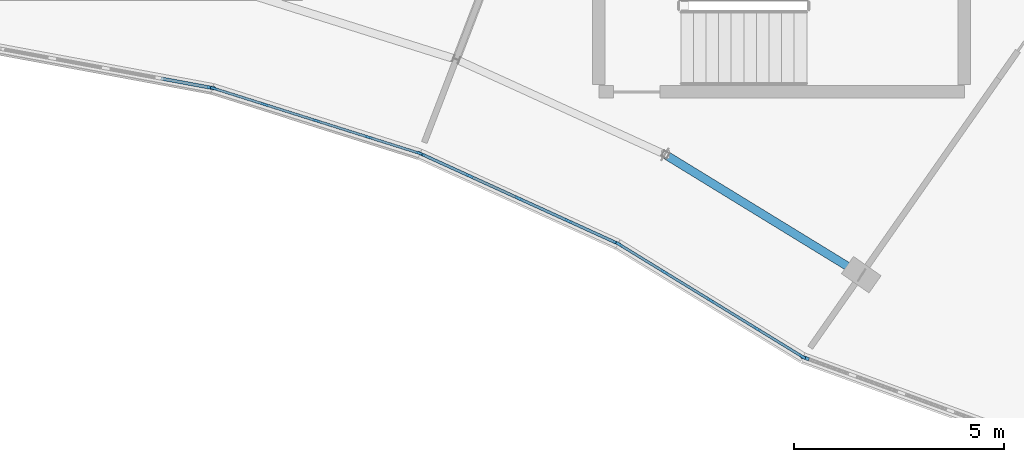
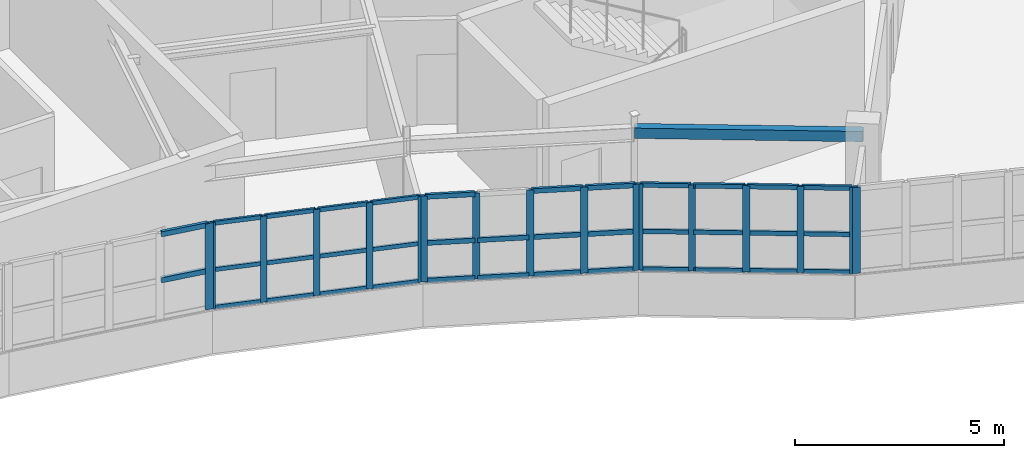
# One storey, part 30 of 65: 54 members, 1 beam, 5 elements without a shape of their own.
"""IFC4 building model written with IfcOpenShell, lengths in metres."""

from ifc_helpers import new_model, si_unit, direction, frame, origin, origin_2d, place, context, subcontext, project, spatial, rectangle, hollow_rectangle, extrude, material, layer, layer_set, material_profile, profile_set, type_object, element, aggregate, save


model = new_model("IFC4")

# Units and contexts
model_context = context("Model", 3, precision=1e-05, world=origin(), true_north=direction((0.0, 1.0)))
body_context = subcontext(model_context, "Body", "Model", "MODEL_VIEW")
ifc_project = project(units=[si_unit("LENGTHUNIT", "METRE"), si_unit("AREAUNIT", "SQUARE_METRE"), si_unit("VOLUMEUNIT", "CUBIC_METRE"), si_unit("PLANEANGLEUNIT", "RADIAN"), si_unit("MASSUNIT", "GRAM", prefix="KILO")], contexts=[model_context])

# Site, building, storey
site_placement = place(None, origin())
site = spatial("IfcSite", under=ifc_project, at=site_placement, CompositionType="ELEMENT")
building_placement = place(site_placement, origin())
building = spatial("IfcBuilding", under=site, at=building_placement, Name="Tarnwether General Hospital", CompositionType="ELEMENT")
storey_placement = place(building_placement, frame((0.0, 0.0, 22.199951171875)))
storey = spatial("IfcBuildingStorey", under=building, at=storey_placement, Name="L05", CompositionType="ELEMENT", Elevation=22.199951171875)

# Beam
ifc_material_1 = material(Name="Steel Grade C350L0 (350 MPa)", Category="steel")
ifc_material_profile_1 = material_profile(ifc_material_1, hollow_rectangle(XDim=0.199951171875, YDim=0.300048828125, WallThickness=0.012451171875, at=origin_2d()), Name="RHS300x200x12.5")
ifc_profile_set_1 = profile_set([ifc_material_profile_1], Name="Steel Grade C350L0 (350 MPa)")
beam_type = type_object("IfcBeamType", Name="BM-SP3", PredefinedType="SPANDREL", material=ifc_profile_set_1)
beam_placement = place(storey_placement, frame((113.031982421875, 102.555908203125, 3.41015625), z_axis=(0.85265897909, -0.522467860617, 0.0), x_axis=(0.522467860617, 0.85265897909, 0.0)))
element("IfcBeam", 1, at=beam_placement, inside=storey, type_object=beam_type, Name="Curved Ward NW Inner Spandrel BMG-L05-11303_10256-11770_9970-2012", PredefinedType="SPANDREL", context=body_context, shape_type="SweptSolid", body=[
    extrude(hollow_rectangle(XDim=0.199951171875, YDim=0.300048828125, WallThickness=0.012451171875, at=origin_2d()), origin(), (0.0, 0.0, 1.0), 5.469970703125),
])

# Curtain wall, members
ifc_material_2 = material(Name="Anodised aluminium", Category="aluminium")
ifc_layer = layer(ifc_material_2, 0.159912109375)
ifc_layer_set = layer_set([ifc_layer], Name="Anodised aluminium")
curtain_wall_type = type_object("IfcCurtainWallType", Name="CW-03", PredefinedType="NOTDEFINED", material=ifc_layer_set)
curtain_wall_1_placement = place(storey_placement, origin())
curtain_wall_1 = element("IfcCurtainWall", 2, at=curtain_wall_1_placement, inside=storey, type_object=curtain_wall_type, Name="Curtain Wall CWG-L05-1072_1026-0077", PredefinedType="NOTDEFINED")
ifc_material_3 = material(Name="Anodised aluminium", Category="aluminium")
ifc_material_profile_2 = material_profile(ifc_material_3, rectangle(XDim=0.06005859375, YDim=0.159912109375, at=origin_2d()), Name="ALU-MUL-60x160")
ifc_profile_set_2 = profile_set([ifc_material_profile_2], Name="Anodised aluminium")
member_type_1 = type_object("IfcMemberType", Name="CW-ML1", PredefinedType="MULLION", material=ifc_profile_set_2)
member_1_placement = place(storey_placement, frame((107.16650390625, 102.593017578125, 1.050048828125), z_axis=(0.0, 0.0, 1.0), x_axis=(-0.30071538783, -0.953713927508, 0.0)))
member_1 = element("IfcMember", 3, at=member_1_placement, type_object=member_type_1, Name="CW-03 mullion 1", PredefinedType="MULLION", context=body_context, shape_type="SweptSolid", body=[
    extrude(rectangle(XDim=0.06005859375, YDim=0.159912109375, at=origin_2d()), origin(), (0.0, 0.0, 1.0), 2.510009765625),
])
member_2_placement = place(storey_placement, frame((105.96044921875, 102.97314453125, 1.050048828125), z_axis=(0.0, 0.0, 1.0), x_axis=(-0.30071538783, -0.953713927508, 0.0)))
member_2 = element("IfcMember", 4, at=member_2_placement, type_object=member_type_1, Name="CW-03 mullion 2", PredefinedType="MULLION", context=body_context, shape_type="SweptSolid", body=[
    extrude(rectangle(XDim=0.06005859375, YDim=0.159912109375, at=origin_2d()), origin(), (0.0, 0.0, 1.0), 2.510009765625),
])
member_3_placement = place(storey_placement, frame((104.72607421875, 103.362548828125, 1.050048828125), z_axis=(0.0, 0.0, 1.0), x_axis=(-0.30071538783, -0.953713927508, 0.0)))
member_3 = element("IfcMember", 5, at=member_3_placement, type_object=member_type_1, Name="CW-03 mullion 3", PredefinedType="MULLION", context=body_context, shape_type="SweptSolid", body=[
    extrude(rectangle(XDim=0.06005859375, YDim=0.159912109375, at=origin_2d()), origin(), (0.0, 0.0, 1.0), 2.510009765625),
])
member_4_placement = place(storey_placement, frame((103.491455078125, 103.751708984375, 1.050048828125), z_axis=(0.0, 0.0, 1.0), x_axis=(-0.30071538783, -0.953713927508, 0.0)))
member_4 = element("IfcMember", 6, at=member_4_placement, type_object=member_type_1, Name="CW-03 mullion 4", PredefinedType="MULLION", context=body_context, shape_type="SweptSolid", body=[
    extrude(rectangle(XDim=0.06005859375, YDim=0.159912109375, at=origin_2d()), origin(), (0.0, 0.0, 1.0), 2.510009765625),
])
member_5_placement = place(storey_placement, frame((102.28564453125, 104.132080078125, 1.050048828125), z_axis=(0.0, 0.0, 1.0), x_axis=(-0.30071538783, -0.953713927508, 0.0)))
member_5 = element("IfcMember", 7, at=member_5_placement, type_object=member_type_1, Name="CW-03 mullion 5", PredefinedType="MULLION", context=body_context, shape_type="SweptSolid", body=[
    extrude(rectangle(XDim=0.06005859375, YDim=0.159912109375, at=origin_2d()), origin(), (0.0, 0.0, 1.0), 2.510009765625),
])

curtain_wall_2_placement = place(storey_placement, origin())
curtain_wall_2 = element("IfcCurtainWall", 8, at=curtain_wall_2_placement, inside=storey, type_object=curtain_wall_type, Name="Curtain Wall CWG-L05-1119_1004-0078", PredefinedType="NOTDEFINED")
ifc_material_4 = material(Name="Anodised aluminium", Category="aluminium")
ifc_material_profile_3 = material_profile(ifc_material_4, rectangle(XDim=0.070068359375, YDim=0.179931640625, at=origin_2d()), Name="ALU-MUL-70x180")
ifc_profile_set_3 = profile_set([ifc_material_profile_3], Name="Anodised aluminium")
member_type_2 = type_object("IfcMemberType", Name="CW-ML2", PredefinedType="MULLION", material=ifc_profile_set_3)
member_6_placement = place(storey_placement, frame((111.874267578125, 100.451416015625, 1.050048828125), z_axis=(0.0, 0.0, 1.0), x_axis=(-0.41470501572, -0.90995590549, 0.0)))
member_6 = element("IfcMember", 9, at=member_6_placement, type_object=member_type_2, Name="CW-03 mullion 1", PredefinedType="MULLION", context=body_context, shape_type="SweptSolid", body=[
    extrude(rectangle(XDim=0.070068359375, YDim=0.179931640625, at=origin_2d()), origin(), (0.0, 0.0, 1.0), 2.510009765625),
])
member_7_placement = place(storey_placement, frame((110.728271484375, 100.9736328125, 1.050048828125), z_axis=(0.0, 0.0, 1.0), x_axis=(-0.41470501572, -0.90995590549, 0.0)))
member_7 = element("IfcMember", 10, at=member_7_placement, type_object=member_type_2, Name="CW-03 mullion 2", PredefinedType="MULLION", context=body_context, shape_type="SweptSolid", body=[
    extrude(rectangle(XDim=0.070068359375, YDim=0.179931640625, at=origin_2d()), origin(), (0.0, 0.0, 1.0), 2.510009765625),
])
member_8_placement = place(storey_placement, frame((109.550537109375, 101.510498046875, 1.050048828125), z_axis=(0.0, 0.0, 1.0), x_axis=(-0.41470501572, -0.90995590549, 0.0)))
member_8 = element("IfcMember", 11, at=member_8_placement, type_object=member_type_2, Name="CW-03 mullion 3", PredefinedType="MULLION", context=body_context, shape_type="SweptSolid", body=[
    extrude(rectangle(XDim=0.070068359375, YDim=0.179931640625, at=origin_2d()), origin(), (0.0, 0.0, 1.0), 2.510009765625),
])
member_9_placement = place(storey_placement, frame((108.372802734375, 102.04736328125, 1.050048828125), z_axis=(0.0, 0.0, 1.0), x_axis=(-0.41470501572, -0.90995590549, 0.0)))
member_9 = element("IfcMember", 12, at=member_9_placement, type_object=member_type_2, Name="CW-03 mullion 4", PredefinedType="MULLION", context=body_context, shape_type="SweptSolid", body=[
    extrude(rectangle(XDim=0.070068359375, YDim=0.179931640625, at=origin_2d()), origin(), (0.0, 0.0, 1.0), 2.510009765625),
])
member_10_placement = place(storey_placement, frame((107.226806640625, 102.569580078125, 1.050048828125), z_axis=(0.0, 0.0, 1.0), x_axis=(-0.41470501572, -0.90995590549, 0.0)))
member_10 = element("IfcMember", 13, at=member_10_placement, type_object=member_type_2, Name="CW-03 mullion 5", PredefinedType="MULLION", context=body_context, shape_type="SweptSolid", body=[
    extrude(rectangle(XDim=0.070068359375, YDim=0.179931640625, at=origin_2d()), origin(), (0.0, 0.0, 1.0), 2.510009765625),
])

curtain_wall_3_placement = place(storey_placement, origin())
curtain_wall_3 = element("IfcCurtainWall", 14, at=curtain_wall_3_placement, inside=storey, type_object=curtain_wall_type, Name="Curtain Wall CWG-L05-1163_977-0079", PredefinedType="NOTDEFINED")
ifc_material_5 = material(Name="Anodised aluminium", Category="aluminium")
ifc_material_profile_4 = material_profile(ifc_material_5, rectangle(XDim=0.06494140625, YDim=0.169921875, at=origin_2d()), Name="ALU-MUL-65x170")
ifc_profile_set_4 = profile_set([ifc_material_profile_4], Name="Anodised aluminium")
member_type_3 = type_object("IfcMemberType", Name="CW-ML3", PredefinedType="MULLION", material=ifc_profile_set_4)
member_11_placement = place(storey_placement, frame((116.292236328125, 97.7490234375, 1.050048828125), z_axis=(0.0, 0.0, 1.0), x_axis=(-0.522512231483, -0.852631789198, 0.0)))
member_11 = element("IfcMember", 15, at=member_11_placement, type_object=member_type_3, Name="CW-03 mullion 1", PredefinedType="MULLION", context=body_context, shape_type="SweptSolid", body=[
    extrude(rectangle(XDim=0.06494140625, YDim=0.169921875, at=origin_2d()), origin(), (0.0, 0.0, 1.0), 2.510009765625),
])
member_12_placement = place(storey_placement, frame((115.216552734375, 98.408203125, 1.050048828125), z_axis=(0.0, 0.0, 1.0), x_axis=(-0.522512231483, -0.852631789198, 0.0)))
member_12 = element("IfcMember", 16, at=member_12_placement, type_object=member_type_3, Name="CW-03 mullion 2", PredefinedType="MULLION", context=body_context, shape_type="SweptSolid", body=[
    extrude(rectangle(XDim=0.06494140625, YDim=0.169921875, at=origin_2d()), origin(), (0.0, 0.0, 1.0), 2.510009765625),
])
member_13_placement = place(storey_placement, frame((114.113037109375, 99.08447265625, 1.050048828125), z_axis=(0.0, 0.0, 1.0), x_axis=(-0.522512231483, -0.852631789198, 0.0)))
member_13 = element("IfcMember", 17, at=member_13_placement, type_object=member_type_3, Name="CW-03 mullion 3", PredefinedType="MULLION", context=body_context, shape_type="SweptSolid", body=[
    extrude(rectangle(XDim=0.06494140625, YDim=0.169921875, at=origin_2d()), origin(), (0.0, 0.0, 1.0), 2.510009765625),
])
member_14_placement = place(storey_placement, frame((113.009521484375, 99.7607421875, 1.050048828125), z_axis=(0.0, 0.0, 1.0), x_axis=(-0.522512231483, -0.852631789198, 0.0)))
member_14 = element("IfcMember", 18, at=member_14_placement, type_object=member_type_3, Name="CW-03 mullion 4", PredefinedType="MULLION", context=body_context, shape_type="SweptSolid", body=[
    extrude(rectangle(XDim=0.06494140625, YDim=0.169921875, at=origin_2d()), origin(), (0.0, 0.0, 1.0), 2.510009765625),
])
member_15_placement = place(storey_placement, frame((111.93359375, 100.419921875, 1.050048828125), z_axis=(0.0, 0.0, 1.0), x_axis=(-0.522512231483, -0.852631789198, 0.0)))
member_15 = element("IfcMember", 19, at=member_15_placement, type_object=member_type_3, Name="CW-03 mullion 5", PredefinedType="MULLION", context=body_context, shape_type="SweptSolid", body=[
    extrude(rectangle(XDim=0.06494140625, YDim=0.169921875, at=origin_2d()), origin(), (0.0, 0.0, 1.0), 2.510009765625),
])

# Curtain wall, member
curtain_wall_4_placement = place(storey_placement, origin())
curtain_wall_4 = element("IfcCurtainWall", 20, at=curtain_wall_4_placement, inside=storey, type_object=curtain_wall_type, Name="Curtain Wall CWG-L05-1023_1041-0076", PredefinedType="NOTDEFINED")
ifc_material_6 = material(Name="Anodised aluminium", Category="aluminium")
ifc_material_profile_5 = material_profile(ifc_material_6, rectangle(XDim=0.080078125, YDim=0.199951171875, at=origin_2d()), Name="ALU-MUL-80x200")
ifc_profile_set_5 = profile_set([ifc_material_profile_5], Name="Anodised aluminium")
member_type_4 = type_object("IfcMemberType", Name="CW-ML4", PredefinedType="MULLION", material=ifc_profile_set_5)
member_16_placement = place(storey_placement, frame((102.2177734375, 104.148193359375, 1.050048828125), z_axis=(0.0, 0.0, 1.0), x_axis=(-0.182165351666, -0.983267910924, 0.0)))
member_16 = element("IfcMember", 21, at=member_16_placement, type_object=member_type_4, Name="CW-03 mullion 1", PredefinedType="MULLION", context=body_context, shape_type="SweptSolid", body=[
    extrude(rectangle(XDim=0.080078125, YDim=0.199951171875, at=origin_2d()), origin(), (0.0, 0.0, 1.0), 2.510009765625),
])

curtain_wall_5_placement = place(storey_placement, origin())
curtain_wall_5 = element("IfcCurtainWall", 22, at=curtain_wall_5_placement, inside=storey, type_object=curtain_wall_type, Name="Curtain Wall CWG-L05-1210_960-0080", PredefinedType="NOTDEFINED")
member_17_placement = place(storey_placement, frame((116.357666015625, 97.71826171875, 1.050048828125), z_axis=(0.0, 0.0, 1.0), x_axis=(-0.342130850834, -0.939652319163, 0.0)))
member_17 = element("IfcMember", 23, at=member_17_placement, type_object=member_type_4, Name="CW-03 mullion 5", PredefinedType="MULLION", context=body_context, shape_type="SweptSolid", body=[
    extrude(rectangle(XDim=0.080078125, YDim=0.199951171875, at=origin_2d()), origin(), (0.0, 0.0, 1.0), 2.510009765625),
])
aggregate(curtain_wall_5, [member_17])

# Member
ifc_material_7 = material(Name="Anodised aluminium", Category="aluminium")
ifc_material_profile_6 = material_profile(ifc_material_7, rectangle(XDim=0.06005859375, YDim=0.1201171875, at=origin_2d()), Name="ALU-TRN-60x120")
ifc_profile_set_6 = profile_set([ifc_material_profile_6], Name="Anodised aluminium")
member_type_5 = type_object("IfcMemberType", Name="CW-TR1", PredefinedType="USERDEFINED", material=ifc_profile_set_6)
member_18_placement = place(storey_placement, frame((107.1376953125, 102.60205078125, 1.080078125), z_axis=(-0.953744897791, 0.300617148443, 0.0), x_axis=(-0.300617148443, -0.953744897791, 0.0)))
member_18 = element("IfcMember", 24, at=member_18_placement, type_object=member_type_5, Name="CW-03 transom 1.1", ObjectType="TRANSOM", PredefinedType="USERDEFINED", context=body_context, shape_type="SweptSolid", body=[
    extrude(rectangle(XDim=0.06005859375, YDim=0.1201171875, at=origin_2d()), origin(), (0.0, 0.0, 1.0), 1.204345703125),
])

member_19_placement = place(storey_placement, frame((107.1376953125, 102.60205078125, 2.179443359375), z_axis=(-0.953744897791, 0.300617148443, 0.0), x_axis=(-0.300617148443, -0.953744897791, 0.0)))
member_19 = element("IfcMember", 25, at=member_19_placement, type_object=member_type_5, Name="CW-03 transom 1.2", ObjectType="TRANSOM", PredefinedType="USERDEFINED", context=body_context, shape_type="SweptSolid", body=[
    extrude(rectangle(XDim=0.06005859375, YDim=0.1201171875, at=origin_2d()), origin(), (0.0, 0.0, 1.0), 1.204345703125),
])

member_20_placement = place(storey_placement, frame((107.1376953125, 102.60205078125, 3.530029296875), z_axis=(-0.953744897791, 0.300617148443, 0.0), x_axis=(-0.300617148443, -0.953744897791, 0.0)))
member_20 = element("IfcMember", 26, at=member_20_placement, type_object=member_type_5, Name="CW-03 transom 1.3", ObjectType="TRANSOM", PredefinedType="USERDEFINED", context=body_context, shape_type="SweptSolid", body=[
    extrude(rectangle(XDim=0.06005859375, YDim=0.1201171875, at=origin_2d()), origin(), (0.0, 0.0, 1.0), 1.204345703125),
])

member_21_placement = place(storey_placement, frame((105.931884765625, 102.982177734375, 1.080078125), z_axis=(-0.953681253444, 0.300818993465, 0.0), x_axis=(-0.300818993465, -0.953681253444, 0.0)))
member_21 = element("IfcMember", 27, at=member_21_placement, type_object=member_type_5, Name="CW-03 transom 2.1", ObjectType="TRANSOM", PredefinedType="USERDEFINED", context=body_context, shape_type="SweptSolid", body=[
    extrude(rectangle(XDim=0.06005859375, YDim=0.1201171875, at=origin_2d()), origin(), (0.0, 0.0, 1.0), 1.234375),
])

member_22_placement = place(storey_placement, frame((105.931884765625, 102.982177734375, 2.179443359375), z_axis=(-0.953681253444, 0.300818993465, 0.0), x_axis=(-0.300818993465, -0.953681253444, 0.0)))
member_22 = element("IfcMember", 28, at=member_22_placement, type_object=member_type_5, Name="CW-03 transom 2.2", ObjectType="TRANSOM", PredefinedType="USERDEFINED", context=body_context, shape_type="SweptSolid", body=[
    extrude(rectangle(XDim=0.06005859375, YDim=0.1201171875, at=origin_2d()), origin(), (0.0, 0.0, 1.0), 1.234375),
])

member_23_placement = place(storey_placement, frame((105.931884765625, 102.982177734375, 3.530029296875), z_axis=(-0.953681253444, 0.300818993465, 0.0), x_axis=(-0.300818993465, -0.953681253444, 0.0)))
member_23 = element("IfcMember", 29, at=member_23_placement, type_object=member_type_5, Name="CW-03 transom 2.3", ObjectType="TRANSOM", PredefinedType="USERDEFINED", context=body_context, shape_type="SweptSolid", body=[
    extrude(rectangle(XDim=0.06005859375, YDim=0.1201171875, at=origin_2d()), origin(), (0.0, 0.0, 1.0), 1.234375),
])

member_24_placement = place(storey_placement, frame((104.697509765625, 103.37158203125, 1.080078125), z_axis=(-0.953755851093, 0.300582395534, 0.0), x_axis=(-0.300582395534, -0.953755851093, 0.0)))
member_24 = element("IfcMember", 30, at=member_24_placement, type_object=member_type_5, Name="CW-03 transom 3.1", ObjectType="TRANSOM", PredefinedType="USERDEFINED", context=body_context, shape_type="SweptSolid", body=[
    extrude(rectangle(XDim=0.06005859375, YDim=0.1201171875, at=origin_2d()), origin(), (0.0, 0.0, 1.0), 1.234619140625),
])

member_25_placement = place(storey_placement, frame((104.697509765625, 103.37158203125, 2.179443359375), z_axis=(-0.953755851093, 0.300582395534, 0.0), x_axis=(-0.300582395534, -0.953755851093, 0.0)))
member_25 = element("IfcMember", 31, at=member_25_placement, type_object=member_type_5, Name="CW-03 transom 3.2", ObjectType="TRANSOM", PredefinedType="USERDEFINED", context=body_context, shape_type="SweptSolid", body=[
    extrude(rectangle(XDim=0.06005859375, YDim=0.1201171875, at=origin_2d()), origin(), (0.0, 0.0, 1.0), 1.234619140625),
])

member_26_placement = place(storey_placement, frame((104.697509765625, 103.37158203125, 3.530029296875), z_axis=(-0.953755851093, 0.300582395534, 0.0), x_axis=(-0.300582395534, -0.953755851093, 0.0)))
member_26 = element("IfcMember", 32, at=member_26_placement, type_object=member_type_5, Name="CW-03 transom 3.3", ObjectType="TRANSOM", PredefinedType="USERDEFINED", context=body_context, shape_type="SweptSolid", body=[
    extrude(rectangle(XDim=0.06005859375, YDim=0.1201171875, at=origin_2d()), origin(), (0.0, 0.0, 1.0), 1.234619140625),
])

member_27_placement = place(storey_placement, frame((103.462890625, 103.7607421875, 1.080078125), z_axis=(-0.953686764452, 0.300801521455, 0.0), x_axis=(-0.300801521455, -0.953686764452, 0.0)))
member_27 = element("IfcMember", 33, at=member_27_placement, type_object=member_type_5, Name="CW-03 transom 4.1", ObjectType="TRANSOM", PredefinedType="USERDEFINED", context=body_context, shape_type="SweptSolid", body=[
    extrude(rectangle(XDim=0.06005859375, YDim=0.1201171875, at=origin_2d()), origin(), (0.0, 0.0, 1.0), 1.204345703125),
])

member_28_placement = place(storey_placement, frame((103.462890625, 103.7607421875, 2.179443359375), z_axis=(-0.953686764452, 0.300801521455, 0.0), x_axis=(-0.300801521455, -0.953686764452, 0.0)))
member_28 = element("IfcMember", 34, at=member_28_placement, type_object=member_type_5, Name="CW-03 transom 4.2", ObjectType="TRANSOM", PredefinedType="USERDEFINED", context=body_context, shape_type="SweptSolid", body=[
    extrude(rectangle(XDim=0.06005859375, YDim=0.1201171875, at=origin_2d()), origin(), (0.0, 0.0, 1.0), 1.204345703125),
])

member_29_placement = place(storey_placement, frame((103.462890625, 103.7607421875, 3.530029296875), z_axis=(-0.953686764452, 0.300801521455, 0.0), x_axis=(-0.300801521455, -0.953686764452, 0.0)))
member_29 = element("IfcMember", 35, at=member_29_placement, type_object=member_type_5, Name="CW-03 transom 4.3", ObjectType="TRANSOM", PredefinedType="USERDEFINED", context=body_context, shape_type="SweptSolid", body=[
    extrude(rectangle(XDim=0.06005859375, YDim=0.1201171875, at=origin_2d()), origin(), (0.0, 0.0, 1.0), 1.204345703125),
])

aggregate(curtain_wall_1, [member_1, member_2, member_3, member_4, member_5, member_18, member_19, member_20, member_21, member_22, member_23, member_24, member_25, member_26, member_27, member_28, member_29])

ifc_material_8 = material(Name="Anodised aluminium", Category="aluminium")
ifc_material_profile_7 = material_profile(ifc_material_8, rectangle(XDim=0.070068359375, YDim=0.139892578125, at=origin_2d()), Name="ALU-TRN-70x140")
ifc_profile_set_7 = profile_set([ifc_material_profile_7], Name="Anodised aluminium")
member_type_6 = type_object("IfcMemberType", Name="CW-TR2", PredefinedType="USERDEFINED", material=ifc_profile_set_7)
member_30_placement = place(storey_placement, frame((111.84228515625, 100.466064453125, 1.0849609375), z_axis=(-0.909979433919, 0.414653385183, 0.0), x_axis=(-0.414653385183, -0.909979433919, 0.0)))
member_30 = element("IfcMember", 36, at=member_30_placement, type_object=member_type_6, Name="CW-03 transom 1.1", ObjectType="TRANSOM", PredefinedType="USERDEFINED", context=body_context, shape_type="SweptSolid", body=[
    extrude(rectangle(XDim=0.070068359375, YDim=0.139892578125, at=origin_2d()), origin(), (0.0, 0.0, 1.0), 1.189453125),
])

member_31_placement = place(storey_placement, frame((111.84228515625, 100.466064453125, 2.179443359375), z_axis=(-0.909979433919, 0.414653385183, 0.0), x_axis=(-0.414653385183, -0.909979433919, 0.0)))
member_31 = element("IfcMember", 37, at=member_31_placement, type_object=member_type_6, Name="CW-03 transom 1.2", ObjectType="TRANSOM", PredefinedType="USERDEFINED", context=body_context, shape_type="SweptSolid", body=[
    extrude(rectangle(XDim=0.070068359375, YDim=0.139892578125, at=origin_2d()), origin(), (0.0, 0.0, 1.0), 1.189453125),
])

member_32_placement = place(storey_placement, frame((111.84228515625, 100.466064453125, 3.525146484375), z_axis=(-0.909979433919, 0.414653385183, 0.0), x_axis=(-0.414653385183, -0.909979433919, 0.0)))
member_32 = element("IfcMember", 38, at=member_32_placement, type_object=member_type_6, Name="CW-03 transom 1.3", ObjectType="TRANSOM", PredefinedType="USERDEFINED", context=body_context, shape_type="SweptSolid", body=[
    extrude(rectangle(XDim=0.070068359375, YDim=0.139892578125, at=origin_2d()), origin(), (0.0, 0.0, 1.0), 1.189453125),
])

member_33_placement = place(storey_placement, frame((110.6962890625, 100.98828125, 1.0849609375), z_axis=(-0.909922054597, 0.414779284147, 0.0), x_axis=(-0.414779284147, -0.909922054597, 0.0)))
member_33 = element("IfcMember", 39, at=member_33_placement, type_object=member_type_6, Name="CW-03 transom 2.1", ObjectType="TRANSOM", PredefinedType="USERDEFINED", context=body_context, shape_type="SweptSolid", body=[
    extrude(rectangle(XDim=0.070068359375, YDim=0.139892578125, at=origin_2d()), origin(), (0.0, 0.0, 1.0), 1.224365234375),
])

member_34_placement = place(storey_placement, frame((110.6962890625, 100.98828125, 2.179443359375), z_axis=(-0.909922054597, 0.414779284147, 0.0), x_axis=(-0.414779284147, -0.909922054597, 0.0)))
member_34 = element("IfcMember", 40, at=member_34_placement, type_object=member_type_6, Name="CW-03 transom 2.2", ObjectType="TRANSOM", PredefinedType="USERDEFINED", context=body_context, shape_type="SweptSolid", body=[
    extrude(rectangle(XDim=0.070068359375, YDim=0.139892578125, at=origin_2d()), origin(), (0.0, 0.0, 1.0), 1.224365234375),
])

member_35_placement = place(storey_placement, frame((110.6962890625, 100.98828125, 3.525146484375), z_axis=(-0.909922054597, 0.414779284147, 0.0), x_axis=(-0.414779284147, -0.909922054597, 0.0)))
member_35 = element("IfcMember", 41, at=member_35_placement, type_object=member_type_6, Name="CW-03 transom 2.3", ObjectType="TRANSOM", PredefinedType="USERDEFINED", context=body_context, shape_type="SweptSolid", body=[
    extrude(rectangle(XDim=0.070068359375, YDim=0.139892578125, at=origin_2d()), origin(), (0.0, 0.0, 1.0), 1.224365234375),
])

member_36_placement = place(storey_placement, frame((109.5185546875, 101.52490234375, 1.0849609375), z_axis=(-0.909922054597, 0.414779284147, 0.0), x_axis=(-0.414779284147, -0.909922054597, 0.0)))
member_36 = element("IfcMember", 42, at=member_36_placement, type_object=member_type_6, Name="CW-03 transom 3.1", ObjectType="TRANSOM", PredefinedType="USERDEFINED", context=body_context, shape_type="SweptSolid", body=[
    extrude(rectangle(XDim=0.070068359375, YDim=0.139892578125, at=origin_2d()), origin(), (0.0, 0.0, 1.0), 1.224365234375),
])

member_37_placement = place(storey_placement, frame((109.5185546875, 101.52490234375, 2.179443359375), z_axis=(-0.909922054597, 0.414779284147, 0.0), x_axis=(-0.414779284147, -0.909922054597, 0.0)))
member_37 = element("IfcMember", 43, at=member_37_placement, type_object=member_type_6, Name="CW-03 transom 3.2", ObjectType="TRANSOM", PredefinedType="USERDEFINED", context=body_context, shape_type="SweptSolid", body=[
    extrude(rectangle(XDim=0.070068359375, YDim=0.139892578125, at=origin_2d()), origin(), (0.0, 0.0, 1.0), 1.224365234375),
])

member_38_placement = place(storey_placement, frame((108.3408203125, 102.061767578125, 1.0849609375), z_axis=(-0.909944129752, 0.414730853362, 0.0), x_axis=(-0.414730853362, -0.909944129752, 0.0)))
member_38 = element("IfcMember", 44, at=member_38_placement, type_object=member_type_6, Name="CW-03 transom 4.1", ObjectType="TRANSOM", PredefinedType="USERDEFINED", context=body_context, shape_type="SweptSolid", body=[
    extrude(rectangle(XDim=0.070068359375, YDim=0.139892578125, at=origin_2d()), origin(), (0.0, 0.0, 1.0), 1.189208984375),
])

member_39_placement = place(storey_placement, frame((108.3408203125, 102.061767578125, 2.179443359375), z_axis=(-0.909944129752, 0.414730853362, 0.0), x_axis=(-0.414730853362, -0.909944129752, 0.0)))
member_39 = element("IfcMember", 45, at=member_39_placement, type_object=member_type_6, Name="CW-03 transom 4.2", ObjectType="TRANSOM", PredefinedType="USERDEFINED", context=body_context, shape_type="SweptSolid", body=[
    extrude(rectangle(XDim=0.070068359375, YDim=0.139892578125, at=origin_2d()), origin(), (0.0, 0.0, 1.0), 1.189208984375),
])

member_40_placement = place(storey_placement, frame((108.3408203125, 102.061767578125, 3.525146484375), z_axis=(-0.909944129752, 0.414730853362, 0.0), x_axis=(-0.414730853362, -0.909944129752, 0.0)))
member_40 = element("IfcMember", 46, at=member_40_placement, type_object=member_type_6, Name="CW-03 transom 4.3", ObjectType="TRANSOM", PredefinedType="USERDEFINED", context=body_context, shape_type="SweptSolid", body=[
    extrude(rectangle(XDim=0.070068359375, YDim=0.139892578125, at=origin_2d()), origin(), (0.0, 0.0, 1.0), 1.189208984375),
])

aggregate(curtain_wall_2, [member_6, member_7, member_8, member_9, member_10, member_30, member_31, member_32, member_33, member_34, member_35, member_36, member_37, member_38, member_39, member_40])

ifc_material_9 = material(Name="Anodised aluminium", Category="aluminium")
ifc_material_profile_8 = material_profile(ifc_material_9, rectangle(XDim=0.06494140625, YDim=0.1298828125, at=origin_2d()), Name="ALU-TRN-65x130")
ifc_profile_set_8 = profile_set([ifc_material_profile_8], Name="Anodised aluminium")
member_type_7 = type_object("IfcMemberType", Name="CW-TR3", PredefinedType="USERDEFINED", material=ifc_profile_set_8)
member_41_placement = place(storey_placement, frame((116.2646484375, 97.765869140625, 1.08251953125), z_axis=(-0.852595389372, 0.522571623821, 0.0), x_axis=(-0.522571623821, -0.852595389372, 0.0)))
member_41 = element("IfcMember", 47, at=member_41_placement, type_object=member_type_7, Name="CW-03 transom 1.1", ObjectType="TRANSOM", PredefinedType="USERDEFINED", context=body_context, shape_type="SweptSolid", body=[
    extrude(rectangle(XDim=0.06494140625, YDim=0.1298828125, at=origin_2d()), origin(), (0.0, 0.0, 1.0), 1.197021484375),
])

member_42_placement = place(storey_placement, frame((116.2646484375, 97.765869140625, 2.179443359375), z_axis=(-0.852595389372, 0.522571623821, 0.0), x_axis=(-0.522571623821, -0.852595389372, 0.0)))
member_42 = element("IfcMember", 48, at=member_42_placement, type_object=member_type_7, Name="CW-03 transom 1.2", ObjectType="TRANSOM", PredefinedType="USERDEFINED", context=body_context, shape_type="SweptSolid", body=[
    extrude(rectangle(XDim=0.06494140625, YDim=0.1298828125, at=origin_2d()), origin(), (0.0, 0.0, 1.0), 1.197021484375),
])

member_43_placement = place(storey_placement, frame((116.2646484375, 97.765869140625, 3.527587890625), z_axis=(-0.852595389372, 0.522571623821, 0.0), x_axis=(-0.522571623821, -0.852595389372, 0.0)))
member_43 = element("IfcMember", 49, at=member_43_placement, type_object=member_type_7, Name="CW-03 transom 1.3", ObjectType="TRANSOM", PredefinedType="USERDEFINED", context=body_context, shape_type="SweptSolid", body=[
    extrude(rectangle(XDim=0.06494140625, YDim=0.1298828125, at=origin_2d()), origin(), (0.0, 0.0, 1.0), 1.197021484375),
])

member_44_placement = place(storey_placement, frame((115.188720703125, 98.42529296875, 1.08251953125), z_axis=(-0.852618378397, 0.522534114503, 0.0), x_axis=(-0.522534114503, -0.852618378397, 0.0)))
member_44 = element("IfcMember", 50, at=member_44_placement, type_object=member_type_7, Name="CW-03 transom 2.1", ObjectType="TRANSOM", PredefinedType="USERDEFINED", context=body_context, shape_type="SweptSolid", body=[
    extrude(rectangle(XDim=0.06494140625, YDim=0.1298828125, at=origin_2d()), origin(), (0.0, 0.0, 1.0), 1.229248046875),
])

member_45_placement = place(storey_placement, frame((115.188720703125, 98.42529296875, 2.179443359375), z_axis=(-0.852618378397, 0.522534114503, 0.0), x_axis=(-0.522534114503, -0.852618378397, 0.0)))
member_45 = element("IfcMember", 51, at=member_45_placement, type_object=member_type_7, Name="CW-03 transom 2.2", ObjectType="TRANSOM", PredefinedType="USERDEFINED", context=body_context, shape_type="SweptSolid", body=[
    extrude(rectangle(XDim=0.06494140625, YDim=0.1298828125, at=origin_2d()), origin(), (0.0, 0.0, 1.0), 1.229248046875),
])

member_46_placement = place(storey_placement, frame((115.188720703125, 98.42529296875, 3.527587890625), z_axis=(-0.852618378397, 0.522534114503, 0.0), x_axis=(-0.522534114503, -0.852618378397, 0.0)))
member_46 = element("IfcMember", 52, at=member_46_placement, type_object=member_type_7, Name="CW-03 transom 2.3", ObjectType="TRANSOM", PredefinedType="USERDEFINED", context=body_context, shape_type="SweptSolid", body=[
    extrude(rectangle(XDim=0.06494140625, YDim=0.1298828125, at=origin_2d()), origin(), (0.0, 0.0, 1.0), 1.229248046875),
])

member_47_placement = place(storey_placement, frame((114.085205078125, 99.1015625, 1.08251953125), z_axis=(-0.852706859025, 0.522389713309, 0.0), x_axis=(-0.522389713309, -0.852706859025, 0.0)))
member_47 = element("IfcMember", 53, at=member_47_placement, type_object=member_type_7, Name="CW-03 transom 3.1", ObjectType="TRANSOM", PredefinedType="USERDEFINED", context=body_context, shape_type="SweptSolid", body=[
    extrude(rectangle(XDim=0.06494140625, YDim=0.1298828125, at=origin_2d()), origin(), (0.0, 0.0, 1.0), 1.229248046875),
])

member_48_placement = place(storey_placement, frame((114.085205078125, 99.1015625, 2.179443359375), z_axis=(-0.852706859025, 0.522389713309, 0.0), x_axis=(-0.522389713309, -0.852706859025, 0.0)))
member_48 = element("IfcMember", 54, at=member_48_placement, type_object=member_type_7, Name="CW-03 transom 3.2", ObjectType="TRANSOM", PredefinedType="USERDEFINED", context=body_context, shape_type="SweptSolid", body=[
    extrude(rectangle(XDim=0.06494140625, YDim=0.1298828125, at=origin_2d()), origin(), (0.0, 0.0, 1.0), 1.229248046875),
])

member_49_placement = place(storey_placement, frame((114.085205078125, 99.1015625, 3.527587890625), z_axis=(-0.852706859025, 0.522389713309, 0.0), x_axis=(-0.522389713309, -0.852706859025, 0.0)))
member_49 = element("IfcMember", 55, at=member_49_placement, type_object=member_type_7, Name="CW-03 transom 3.3", ObjectType="TRANSOM", PredefinedType="USERDEFINED", context=body_context, shape_type="SweptSolid", body=[
    extrude(rectangle(XDim=0.06494140625, YDim=0.1298828125, at=origin_2d()), origin(), (0.0, 0.0, 1.0), 1.229248046875),
])

member_50_placement = place(storey_placement, frame((112.981689453125, 99.77783203125, 1.08251953125), z_axis=(-0.852630574222, 0.522514214066, 0.0), x_axis=(-0.522514214066, -0.852630574222, 0.0)))
member_50 = element("IfcMember", 56, at=member_50_placement, type_object=member_type_7, Name="CW-03 transom 4.1", ObjectType="TRANSOM", PredefinedType="USERDEFINED", context=body_context, shape_type="SweptSolid", body=[
    extrude(rectangle(XDim=0.06494140625, YDim=0.1298828125, at=origin_2d()), origin(), (0.0, 0.0, 1.0), 1.196533203125),
])

member_51_placement = place(storey_placement, frame((112.981689453125, 99.77783203125, 2.179443359375), z_axis=(-0.852630574222, 0.522514214066, 0.0), x_axis=(-0.522514214066, -0.852630574222, 0.0)))
member_51 = element("IfcMember", 57, at=member_51_placement, type_object=member_type_7, Name="CW-03 transom 4.2", ObjectType="TRANSOM", PredefinedType="USERDEFINED", context=body_context, shape_type="SweptSolid", body=[
    extrude(rectangle(XDim=0.06494140625, YDim=0.1298828125, at=origin_2d()), origin(), (0.0, 0.0, 1.0), 1.196533203125),
])

member_52_placement = place(storey_placement, frame((112.981689453125, 99.77783203125, 3.527587890625), z_axis=(-0.852630574222, 0.522514214066, 0.0), x_axis=(-0.522514214066, -0.852630574222, 0.0)))
member_52 = element("IfcMember", 58, at=member_52_placement, type_object=member_type_7, Name="CW-03 transom 4.3", ObjectType="TRANSOM", PredefinedType="USERDEFINED", context=body_context, shape_type="SweptSolid", body=[
    extrude(rectangle(XDim=0.06494140625, YDim=0.1298828125, at=origin_2d()), origin(), (0.0, 0.0, 1.0), 1.196533203125),
])

aggregate(curtain_wall_3, [member_11, member_12, member_13, member_14, member_15, member_41, member_42, member_43, member_44, member_45, member_46, member_47, member_48, member_49, member_50, member_51, member_52])

ifc_material_10 = material(Name="Anodised aluminium", Category="aluminium")
ifc_material_profile_9 = material_profile(ifc_material_10, rectangle(XDim=0.080078125, YDim=0.14990234375, at=origin_2d()), Name="ALU-TRN-80x150")
ifc_profile_set_9 = profile_set([ifc_material_profile_9], Name="Anodised aluminium")
member_type_8 = type_object("IfcMemberType", Name="CW-TR4", PredefinedType="USERDEFINED", material=ifc_profile_set_9)
member_53_placement = place(storey_placement, frame((102.17822265625, 104.155517578125, 2.179443359375), z_axis=(-0.983265451868, 0.182178624331, 0.0), x_axis=(-0.182178624331, -0.983265451868, 0.0)))
member_53 = element("IfcMember", 59, at=member_53_placement, type_object=member_type_8, Name="CW-03 transom 1.2", ObjectType="TRANSOM", PredefinedType="USERDEFINED", context=body_context, shape_type="SweptSolid", body=[
    extrude(rectangle(XDim=0.080078125, YDim=0.14990234375, at=origin_2d()), origin(), (0.0, 0.0, 1.0), 1.173828125),
])

member_54_placement = place(storey_placement, frame((102.17822265625, 104.155517578125, 3.52001953125), z_axis=(-0.983265451868, 0.182178624331, 0.0), x_axis=(-0.182178624331, -0.983265451868, 0.0)))
member_54 = element("IfcMember", 60, at=member_54_placement, type_object=member_type_8, Name="CW-03 transom 1.3", ObjectType="TRANSOM", PredefinedType="USERDEFINED", context=body_context, shape_type="SweptSolid", body=[
    extrude(rectangle(XDim=0.080078125, YDim=0.14990234375, at=origin_2d()), origin(), (0.0, 0.0, 1.0), 1.173828125),
])

aggregate(curtain_wall_4, [member_16, member_53, member_54])

save(model, "model.ifc")
